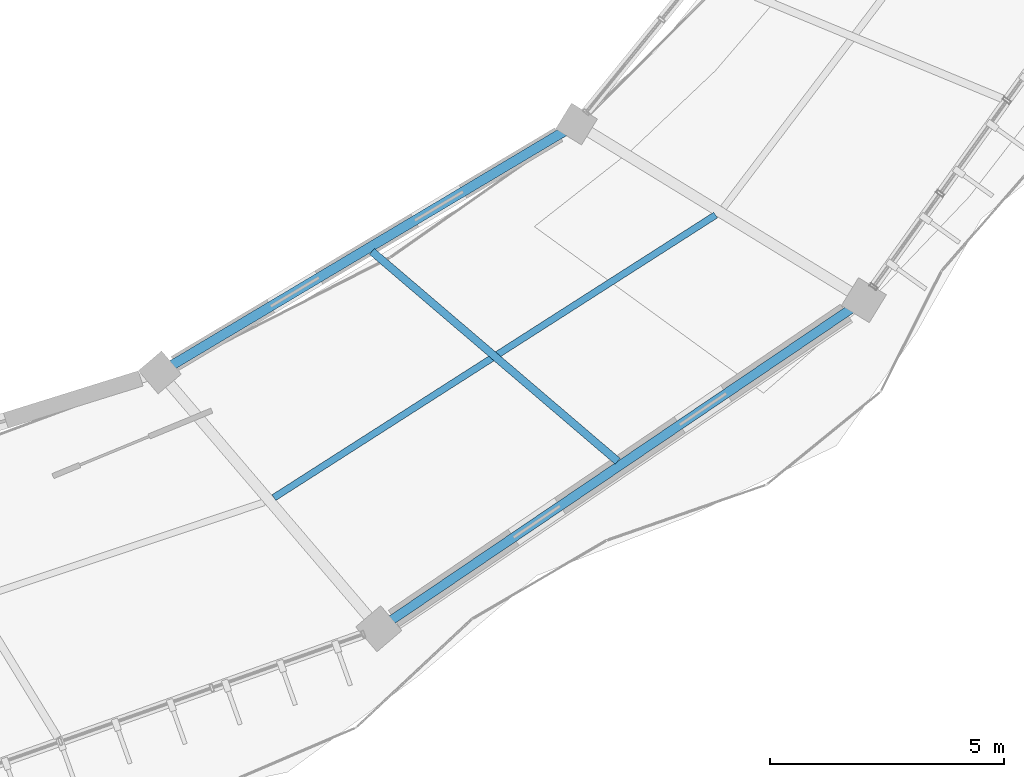
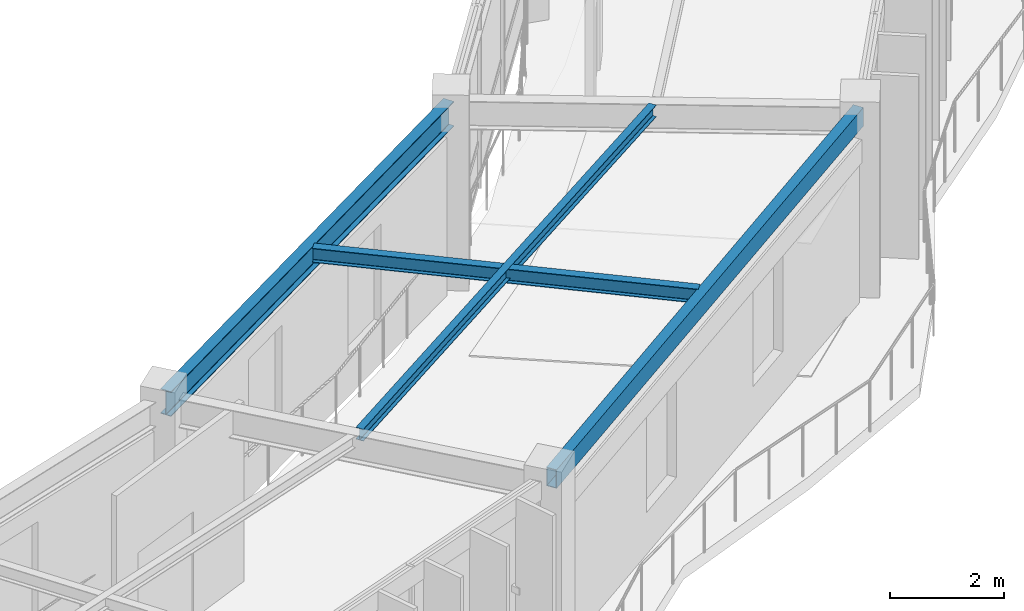
# One storey, part 59 of 138: 4 beams.
"""IFC4 building model written with IfcOpenShell, lengths in metres."""

from ifc_helpers import new_model, si_unit, direction, frame, origin, origin_2d, place, context, subcontext, project, spatial, hollow_rectangle, i_section, extrude, material, material_profile, profile_set, type_object, element, save


model = new_model("IFC4")

# Units and contexts
model_context = context("Model", 3, precision=1e-05, world=origin(), true_north=direction((0.0, 1.0)))
body_context = subcontext(model_context, "Body", "Model", "MODEL_VIEW")
ifc_project = project(units=[si_unit("LENGTHUNIT", "METRE"), si_unit("AREAUNIT", "SQUARE_METRE"), si_unit("VOLUMEUNIT", "CUBIC_METRE"), si_unit("PLANEANGLEUNIT", "RADIAN"), si_unit("MASSUNIT", "GRAM", prefix="KILO"), si_unit("THERMODYNAMICTEMPERATUREUNIT", "KELVIN"), si_unit("POWERUNIT", "WATT")], contexts=[model_context])

# Site, building, storey
site_placement = place(None, origin())
site = spatial("IfcSite", under=ifc_project, at=site_placement, CompositionType="ELEMENT")
building_placement = place(site_placement, origin())
building = spatial("IfcBuilding", under=site, at=building_placement, Name="Darbajah Civic Hall", CompositionType="ELEMENT")
storey_placement = place(building_placement, frame((0.0, 0.0, 9.60009765625)))
storey = spatial("IfcBuildingStorey", under=building, at=storey_placement, Name="L02", CompositionType="ELEMENT", Elevation=9.60009765625)

# Beams
ifc_material = material(Name="Steel S355JR", Category="steel")
ifc_material_profile_1 = material_profile(ifc_material, hollow_rectangle(XDim=0.199951171875, YDim=0.39990234375, WallThickness=0.013916015625, at=origin_2d()), Name="RHS 400x200x14")
ifc_profile_set_1 = profile_set([ifc_material_profile_1], Name="Steel S355JR")
beam_type_1 = type_object("IfcBeamType", Name="RHS 400x200x14", PredefinedType="SPANDREL", material=ifc_profile_set_1)
beam_1_placement = place(storey_placement, frame((122.2880859375, 67.412841796875, 3.719970703125), z_axis=(0.827982022698, 0.560754643394, 0.0), x_axis=(-0.560754643394, 0.827982022698, 0.0)))
element("IfcBeam", 1, at=beam_1_placement, inside=storey, type_object=beam_type_1, Name="L02 beam SP-RHS400", PredefinedType="SPANDREL", context=body_context, shape_type="SweptSolid", body=[
    extrude(hollow_rectangle(XDim=0.199951171875, YDim=0.39990234375, WallThickness=0.013916015625, at=origin_2d()), origin(), (0.0, 0.0, 1.0), 12.355712890625),
])
ifc_material_profile_2 = material_profile(ifc_material, i_section(OverallWidth=0.146484375, OverallDepth=0.256103515625, WebThickness=0.00634765625, FlangeThickness=0.010986328125, FilletRadius=0.007568359375, at=origin_2d()), Name="UB 254x146x37")
ifc_profile_set_2 = profile_set([ifc_material_profile_2], Name="Steel S355JR")
beam_type_2 = type_object("IfcBeamType", Name="UB 254x146x37", PredefinedType="JOIST", material=ifc_profile_set_2)
beam_2_placement = place(storey_placement, frame((119.981689453125, 70.16796875, 3.7919921875), z_axis=(0.842354117653, 0.538924429279, 0.0), x_axis=(-0.538924429279, 0.842354117653, 0.0)))
element("IfcBeam", 2, at=beam_2_placement, inside=storey, type_object=beam_type_2, Name="L02 beam SJ-254", PredefinedType="JOIST", context=body_context, shape_type="SweptSolid", body=[
    extrude(i_section(OverallWidth=0.146484375, OverallDepth=0.256103515625, WebThickness=0.00634765625, FlangeThickness=0.010986328125, FilletRadius=0.007568359375, at=origin_2d()), origin(), (0.0, 0.0, 1.0), 11.20166015625),
])
ifc_material_profile_3 = material_profile(ifc_material, i_section(OverallWidth=0.165771484375, OverallDepth=0.306640625, WebThickness=0.006591796875, FlangeThickness=0.01171875, FilletRadius=0.0087890625, at=origin_2d()), Name="UB 305x165x46")
ifc_profile_set_3 = profile_set([ifc_material_profile_3], Name="Steel S355JR")
beam_type_3 = type_object("IfcBeamType", Name="UB 305x165x46", PredefinedType="JOIST", material=ifc_profile_set_3)
beam_3_placement = place(storey_placement, frame((122.076416015625, 75.4267578125, 3.7666015625), z_axis=(0.760398784195, -0.649456456581, 0.0), x_axis=(0.649456456581, 0.760398784195, 0.0)))
element("IfcBeam", 3, at=beam_3_placement, inside=storey, type_object=beam_type_3, Name="L02 beam SJ-305", PredefinedType="JOIST", context=body_context, shape_type="SweptSolid", body=[
    extrude(i_section(OverallWidth=0.165771484375, OverallDepth=0.306640625, WebThickness=0.006591796875, FlangeThickness=0.01171875, FilletRadius=0.0087890625, at=origin_2d()), origin(), (0.0, 0.0, 1.0), 6.9033203125),
])
ifc_material_profile_4 = material_profile(ifc_material, i_section(OverallWidth=0.209228515625, OverallDepth=0.533203125, WebThickness=0.010009765625, FlangeThickness=0.015625, FilletRadius=0.0126953125, at=origin_2d()), Name="UB 533x210x92")
ifc_profile_set_4 = profile_set([ifc_material_profile_4], Name="Steel S355JR")
beam_type_4 = type_object("IfcBeamType", Name="UB 533x210x92", PredefinedType="BEAM", material=ifc_profile_set_4)
beam_4_placement = place(storey_placement, frame((117.614501953125, 72.8837890625, 3.6533203125), z_axis=(0.858952844576, 0.51205469512, 0.0), x_axis=(-0.51205469512, 0.858952844576, 0.0)))
element("IfcBeam", 4, at=beam_4_placement, inside=storey, type_object=beam_type_4, Name="L02 beam SB-533", PredefinedType="BEAM", context=body_context, shape_type="SweptSolid", body=[
    extrude(i_section(OverallWidth=0.209228515625, OverallDepth=0.533203125, WebThickness=0.010009765625, FlangeThickness=0.015625, FilletRadius=0.0126953125, at=origin_2d()), origin(), (0.0, 0.0, 1.0), 10.201416015625),
])

save(model, "model.ifc")
